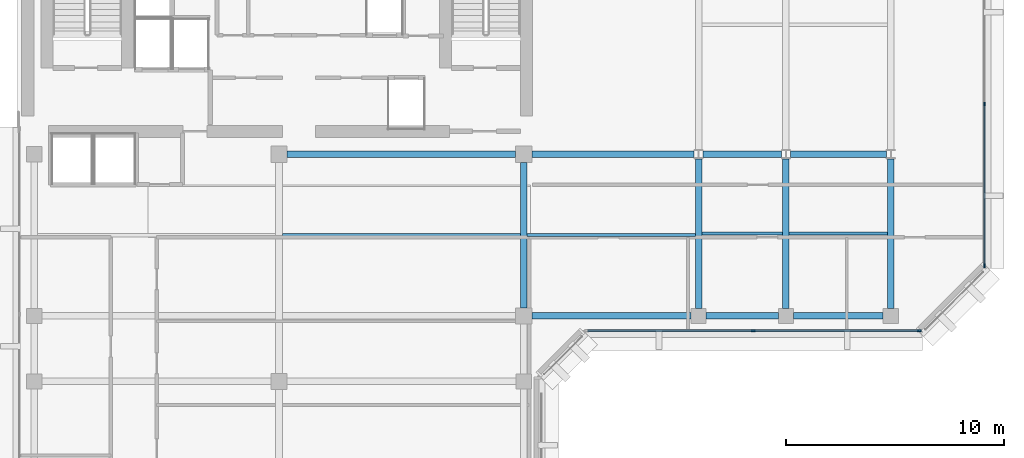
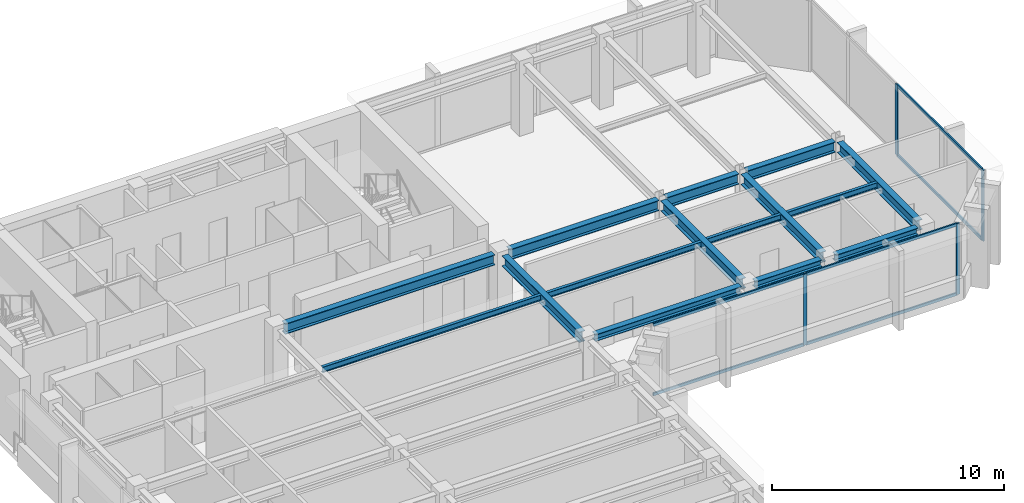
# One storey, part 3 of 11: 15 beams, 10 members, 2 elements without a shape of their own.
"""IFC4 building model written with IfcOpenShell, lengths in metres."""

from ifc_helpers import new_model, si_unit, direction, frame, origin, origin_2d, place, context, subcontext, project, spatial, rectangle, i_section, extrude, material, layer, layer_set, material_profile, profile_set, type_object, element, aggregate, save


model = new_model("IFC4")

# Units and contexts
model_context = context("Model", 3, precision=1e-05, world=origin(), true_north=direction((0.0, 1.0)))
body_context = subcontext(model_context, "Body", "Model", "MODEL_VIEW")
ifc_project = project(units=[si_unit("LENGTHUNIT", "METRE"), si_unit("AREAUNIT", "SQUARE_METRE"), si_unit("VOLUMEUNIT", "CUBIC_METRE"), si_unit("PLANEANGLEUNIT", "RADIAN"), si_unit("MASSUNIT", "GRAM", prefix="KILO")], contexts=[model_context])

# Site, building, storey
site_placement = place(None, origin())
site = spatial("IfcSite", under=ifc_project, at=site_placement, CompositionType="ELEMENT")
building_placement = place(site_placement, origin())
building = spatial("IfcBuilding", under=site, at=building_placement, Name="Kefirva Bronze Tower", CompositionType="ELEMENT")
storey_placement = place(building_placement, frame((0.0, 0.0, 335.610107421875)))
storey = spatial("IfcBuildingStorey", under=building, at=storey_placement, Name="L82", CompositionType="ELEMENT", Elevation=335.610107421875)

# Curtain wall, members
ifc_material_1 = material(Name="Bronze anodised aluminium", Category="aluminium")
ifc_layer = layer(ifc_material_1, 0.179931640625, Name="Bronze anodised aluminium")
ifc_layer_set = layer_set([ifc_layer], Name="Bronze anodised aluminium")
curtain_wall_type = type_object("IfcCurtainWallType", Name="Unitised Bronze Ribbon Curtain Wall Zone 4", PredefinedType="USERDEFINED", material=ifc_layer_set)
curtain_wall_1_placement = place(storey_placement, origin())
curtain_wall_1 = element("IfcCurtainWall", 1, at=curtain_wall_1_placement, inside=storey, type_object=curtain_wall_type, Name="L82 Curtain Wall 2", ObjectType="UNITISED CURTAIN WALL", PredefinedType="USERDEFINED")
ifc_material_profile_1 = material_profile(ifc_material_1, rectangle(XDim=0.074951171875, YDim=0.179931640625, at=origin_2d()), Name="ALU 75x180")
ifc_profile_set_1 = profile_set([ifc_material_profile_1], Name="Bronze anodised aluminium")
member_type_1 = type_object("IfcMemberType", Name="Bronze Mullion 75x180", PredefinedType="MULLION", material=ifc_profile_set_1)
member_1_placement = place(storey_placement, frame((33.699951171875, 25.1201171875, 0.0), z_axis=(0.0, 0.0, 1.0), x_axis=(0.0, 1.0, 0.0)))
member_1 = element("IfcMember", 2, at=member_1_placement, type_object=member_type_1, Name="CW-04 mullion 2", PredefinedType="MULLION", context=body_context, shape_type="SweptSolid", body=[
    extrude(rectangle(XDim=0.074951171875, YDim=0.179931640625, at=origin_2d()), origin(), (0.0, 0.0, 1.0), 3.739990234375),
])
member_2_placement = place(storey_placement, frame((41.3076171875, 25.1201171875, 0.0), z_axis=(0.0, 0.0, 1.0), x_axis=(0.0, 1.0, 0.0)))
member_2 = element("IfcMember", 3, at=member_2_placement, type_object=member_type_1, Name="CW-04 mullion 3", PredefinedType="MULLION", context=body_context, shape_type="SweptSolid", body=[
    extrude(rectangle(XDim=0.074951171875, YDim=0.179931640625, at=origin_2d()), origin(), (0.0, 0.0, 1.0), 3.739990234375),
])

curtain_wall_2_placement = place(storey_placement, origin())
curtain_wall_2 = element("IfcCurtainWall", 4, at=curtain_wall_2_placement, inside=storey, type_object=curtain_wall_type, Name="L82 Curtain Wall 3", ObjectType="UNITISED CURTAIN WALL", PredefinedType="USERDEFINED")
member_3_placement = place(storey_placement, frame((44.280029296875, 28.092529296875, 0.0), z_axis=(0.0, 0.0, 1.0), x_axis=(-1.0, 0.0, 0.0)))
member_3 = element("IfcMember", 5, at=member_3_placement, type_object=member_type_1, Name="CW-04 mullion 1", PredefinedType="MULLION", context=body_context, shape_type="SweptSolid", body=[
    extrude(rectangle(XDim=0.074951171875, YDim=0.179931640625, at=origin_2d()), origin(), (0.0, 0.0, 1.0), 3.739990234375),
])
member_4_placement = place(storey_placement, frame((44.280029296875, 35.5, 0.0), z_axis=(0.0, 0.0, 1.0), x_axis=(-1.0, 0.0, 0.0)))
member_4 = element("IfcMember", 6, at=member_4_placement, type_object=member_type_1, Name="CW-04 mullion 2", PredefinedType="MULLION", context=body_context, shape_type="SweptSolid", body=[
    extrude(rectangle(XDim=0.074951171875, YDim=0.179931640625, at=origin_2d()), origin(), (0.0, 0.0, 1.0), 3.739990234375),
])

# Member
ifc_material_profile_2 = material_profile(ifc_material_1, rectangle(XDim=0.074951171875, YDim=0.14990234375, at=origin_2d()), Name="ALU 75x150")
ifc_profile_set_2 = profile_set([ifc_material_profile_2], Name="Bronze anodised aluminium")
member_type_2 = type_object("IfcMemberType", Name="Bronze Transom 75x150", PredefinedType="USERDEFINED", material=ifc_profile_set_2)
member_5_placement = place(storey_placement, frame((26.1298828125, 25.1201171875, 0.037353515625), z_axis=(1.0, 0.0, 0.0), x_axis=(0.0, 1.0, 0.0)))
member_5 = element("IfcMember", 7, at=member_5_placement, type_object=member_type_2, Name="CW-04 transom 1.1", ObjectType="TRANSOM", PredefinedType="USERDEFINED", context=body_context, shape_type="SweptSolid", body=[
    extrude(rectangle(XDim=0.074951171875, YDim=0.14990234375, at=origin_2d()), origin(), (0.0, 0.0, 1.0), 7.53271484375),
])

member_6_placement = place(storey_placement, frame((26.1298828125, 25.1201171875, 3.702392578125), z_axis=(1.0, 0.0, 0.0), x_axis=(0.0, 1.0, 0.0)))
member_6 = element("IfcMember", 8, at=member_6_placement, type_object=member_type_2, Name="CW-04 transom 1.2", ObjectType="TRANSOM", PredefinedType="USERDEFINED", context=body_context, shape_type="SweptSolid", body=[
    extrude(rectangle(XDim=0.074951171875, YDim=0.14990234375, at=origin_2d()), origin(), (0.0, 0.0, 1.0), 7.53271484375),
])

member_7_placement = place(storey_placement, frame((33.737548828125, 25.1201171875, 0.037353515625), z_axis=(1.0, 0.0, 0.0), x_axis=(0.0, 1.0, 0.0)))
member_7 = element("IfcMember", 9, at=member_7_placement, type_object=member_type_2, Name="CW-04 transom 2.1", ObjectType="TRANSOM", PredefinedType="USERDEFINED", context=body_context, shape_type="SweptSolid", body=[
    extrude(rectangle(XDim=0.074951171875, YDim=0.14990234375, at=origin_2d()), origin(), (0.0, 0.0, 1.0), 7.532470703125),
])

member_8_placement = place(storey_placement, frame((33.737548828125, 25.1201171875, 3.702392578125), z_axis=(1.0, 0.0, 0.0), x_axis=(0.0, 1.0, 0.0)))
member_8 = element("IfcMember", 10, at=member_8_placement, type_object=member_type_2, Name="CW-04 transom 2.2", ObjectType="TRANSOM", PredefinedType="USERDEFINED", context=body_context, shape_type="SweptSolid", body=[
    extrude(rectangle(XDim=0.074951171875, YDim=0.14990234375, at=origin_2d()), origin(), (0.0, 0.0, 1.0), 7.532470703125),
])

aggregate(curtain_wall_1, [member_1, member_2, member_5, member_6, member_7, member_8])

member_9_placement = place(storey_placement, frame((44.280029296875, 28.1298828125, 0.037353515625), z_axis=(0.0, 1.0, 0.0), x_axis=(-1.0, 0.0, 0.0)))
member_9 = element("IfcMember", 11, at=member_9_placement, type_object=member_type_2, Name="CW-04 transom 1.1", ObjectType="TRANSOM", PredefinedType="USERDEFINED", context=body_context, shape_type="SweptSolid", body=[
    extrude(rectangle(XDim=0.074951171875, YDim=0.14990234375, at=origin_2d()), origin(), (0.0, 0.0, 1.0), 7.33251953125),
])

member_10_placement = place(storey_placement, frame((44.280029296875, 28.1298828125, 3.702392578125), z_axis=(0.0, 1.0, 0.0), x_axis=(-1.0, 0.0, 0.0)))
member_10 = element("IfcMember", 12, at=member_10_placement, type_object=member_type_2, Name="CW-04 transom 1.2", ObjectType="TRANSOM", PredefinedType="USERDEFINED", context=body_context, shape_type="SweptSolid", body=[
    extrude(rectangle(XDim=0.074951171875, YDim=0.14990234375, at=origin_2d()), origin(), (0.0, 0.0, 1.0), 7.33251953125),
])

aggregate(curtain_wall_2, [member_3, member_4, member_9, member_10])

# Beams
ifc_material_2 = material(Name="Steel S355", Category="steel")
ifc_material_profile_3 = material_profile(ifc_material_2, i_section(OverallWidth=0.14990234375, OverallDepth=0.300048828125, WebThickness=0.007080078125, FlangeThickness=0.0107421875, at=origin_2d()), Name="IPE 300")
ifc_profile_set_3 = profile_set([ifc_material_profile_3], Name="Steel S355")
beam_type_1 = type_object("IfcBeamType", Name="Steel Floor Joist IPE 300", PredefinedType="JOIST", material=ifc_profile_set_3)
beam_1_placement = place(storey_placement, frame((12.14990234375, 29.5, 3.58984375), z_axis=(1.0, 0.0, 0.0), x_axis=(0.0, 1.0, 0.0)))
element("IfcBeam", 13, at=beam_1_placement, inside=storey, type_object=beam_type_1, Name="L82 JST-L82-12-295", PredefinedType="JOIST", context=body_context, shape_type="SweptSolid", body=[
    extrude(i_section(OverallWidth=0.14990234375, OverallDepth=0.300048828125, WebThickness=0.007080078125, FlangeThickness=0.0107421875, at=origin_2d()), origin(), (0.0, 0.0, 1.0), 10.900146484375),
])
beam_2_placement = place(storey_placement, frame((23.35009765625, 29.5, 3.58984375), z_axis=(1.0, 0.0, 0.0), x_axis=(0.0, 1.0, 0.0)))
element("IfcBeam", 14, at=beam_2_placement, inside=storey, type_object=beam_type_1, Name="L82 JST-L82-23-295", PredefinedType="JOIST", context=body_context, shape_type="SweptSolid", body=[
    extrude(i_section(OverallWidth=0.14990234375, OverallDepth=0.300048828125, WebThickness=0.007080078125, FlangeThickness=0.0107421875, at=origin_2d()), origin(), (0.0, 0.0, 1.0), 7.699951171875),
])
beam_3_placement = place(storey_placement, frame((31.35009765625, 29.571044921875, 3.58984375), z_axis=(1.0, 0.0, 0.0), x_axis=(0.0, 1.0, 0.0)))
element("IfcBeam", 15, at=beam_3_placement, inside=storey, type_object=beam_type_1, Name="L82 JST-L82-31-295", PredefinedType="JOIST", context=body_context, shape_type="SweptSolid", body=[
    extrude(i_section(OverallWidth=0.14990234375, OverallDepth=0.300048828125, WebThickness=0.007080078125, FlangeThickness=0.0107421875, at=origin_2d()), origin(), (0.0, 0.0, 1.0), 3.699951171875),
])
beam_4_placement = place(storey_placement, frame((35.35009765625, 29.571044921875, 3.58984375), z_axis=(1.0, 0.0, 0.0), x_axis=(0.0, 1.0, 0.0)))
element("IfcBeam", 16, at=beam_4_placement, inside=storey, type_object=beam_type_1, Name="L82 JST-L82-35-295", PredefinedType="JOIST", context=body_context, shape_type="SweptSolid", body=[
    extrude(i_section(OverallWidth=0.14990234375, OverallDepth=0.300048828125, WebThickness=0.007080078125, FlangeThickness=0.0107421875, at=origin_2d()), origin(), (0.0, 0.0, 1.0), 4.5),
])
ifc_material_profile_4 = material_profile(ifc_material_2, i_section(OverallWidth=0.300048828125, OverallDepth=0.550048828125, WebThickness=0.014892578125, FlangeThickness=0.029052734375, at=origin_2d()), Name="HEB 550")
ifc_profile_set_4 = profile_set([ifc_material_profile_4], Name="Steel S355")
beam_type_2 = type_object("IfcBeamType", Name="Steel Girder HEB 550", PredefinedType="USERDEFINED", material=ifc_profile_set_4)
beam_5_placement = place(storey_placement, frame((12.3701171875, 33.199951171875, 3.46484375), z_axis=(1.0, 0.0, 0.0), x_axis=(0.0, 1.0, 0.0)))
element("IfcBeam", 17, at=beam_5_placement, inside=storey, type_object=beam_type_2, Name="L82 BM-L82-EW-12-332", ObjectType="GIRDER", PredefinedType="USERDEFINED", context=body_context, shape_type="SweptSolid", body=[
    extrude(i_section(OverallWidth=0.300048828125, OverallDepth=0.550048828125, WebThickness=0.014892578125, FlangeThickness=0.029052734375, at=origin_2d()), origin(), (0.0, 0.0, 1.0), 10.4599609375),
])
beam_6_placement = place(storey_placement, frame((23.570068359375, 33.199951171875, 3.46484375), z_axis=(1.0, 0.0, 0.0), x_axis=(0.0, 1.0, 0.0)))
element("IfcBeam", 18, at=beam_6_placement, inside=storey, type_object=beam_type_2, Name="L82 BM-L82-EW-23-332", ObjectType="GIRDER", PredefinedType="USERDEFINED", context=body_context, shape_type="SweptSolid", body=[
    extrude(i_section(OverallWidth=0.300048828125, OverallDepth=0.550048828125, WebThickness=0.014892578125, FlangeThickness=0.029052734375, at=origin_2d()), origin(), (0.0, 0.0, 1.0), 7.427001953125),
])
beam_7_placement = place(storey_placement, frame((31.403076171875, 33.199951171875, 3.46484375), z_axis=(1.0, 0.0, 0.0), x_axis=(0.0, 1.0, 0.0)))
element("IfcBeam", 19, at=beam_7_placement, inside=storey, type_object=beam_type_2, Name="L82 BM-L82-EW-31-332", ObjectType="GIRDER", PredefinedType="USERDEFINED", context=body_context, shape_type="SweptSolid", body=[
    extrude(i_section(OverallWidth=0.300048828125, OverallDepth=0.550048828125, WebThickness=0.014892578125, FlangeThickness=0.029052734375, at=origin_2d()), origin(), (0.0, 0.0, 1.0), 3.593994140625),
])
beam_8_placement = place(storey_placement, frame((35.403076171875, 33.199951171875, 3.46484375), z_axis=(1.0, 0.0, 0.0), x_axis=(0.0, 1.0, 0.0)))
element("IfcBeam", 20, at=beam_8_placement, inside=storey, type_object=beam_type_2, Name="L82 BM-L82-EW-35-332", ObjectType="GIRDER", PredefinedType="USERDEFINED", context=body_context, shape_type="SweptSolid", body=[
    extrude(i_section(OverallWidth=0.300048828125, OverallDepth=0.550048828125, WebThickness=0.014892578125, FlangeThickness=0.029052734375, at=origin_2d()), origin(), (0.0, 0.0, 1.0), 4.39404296875),
])
beam_9_placement = place(storey_placement, frame((23.199951171875, 26.169921875, 3.46484375), z_axis=(0.0, 1.0, 0.0), x_axis=(-1.0, 0.0, 0.0)))
element("IfcBeam", 21, at=beam_9_placement, inside=storey, type_object=beam_type_2, Name="L82 BM-L82-NS-232-25", ObjectType="GIRDER", PredefinedType="USERDEFINED", context=body_context, shape_type="SweptSolid", body=[
    extrude(i_section(OverallWidth=0.300048828125, OverallDepth=0.550048828125, WebThickness=0.014892578125, FlangeThickness=0.029052734375, at=origin_2d()), origin(), (0.0, 0.0, 1.0), 6.66015625),
])
for number, where, z_axis, x_axis, name in (
    (22, (31.199951171875, 26.14990234375, 3.46484375), (0.0, 1.0, 0.0), (-1.0, 0.0, 0.0), "L82 BM-L82-NS-312-25"),
    (23, (35.199951171875, 26.14990234375, 3.46484375), (0.0, 1.0, 0.0), (-1.0, 0.0, 0.0), "L82 BM-L82-NS-352-25"),
    (24, (40.0, 26.14990234375, 3.46484375), (0.0, 1.0, 0.0), (-1.0, 0.0, 0.0), "L82 BM-L82-NS-400-25"),
):
    element("IfcBeam", number, at=place(storey_placement, frame(where, z_axis=z_axis, x_axis=x_axis)), inside=storey, type_object=beam_type_2, Name=name, ObjectType="GIRDER", PredefinedType="USERDEFINED", context=body_context, shape_type="SweptSolid", body=[
        extrude(i_section(OverallWidth=0.300048828125, OverallDepth=0.550048828125, WebThickness=0.014892578125, FlangeThickness=0.029052734375, at=origin_2d()), origin(), (0.0, 0.0, 1.0), 6.842041015625),
    ])
ifc_material_profile_5 = material_profile(ifc_material_2, i_section(OverallWidth=0.300048828125, OverallDepth=0.360107421875, WebThickness=0.012451171875, FlangeThickness=0.0224609375, at=origin_2d()), Name="HEB 360")
ifc_profile_set_5 = profile_set([ifc_material_profile_5], Name="Steel S355")
beam_type_3 = type_object("IfcBeamType", Name="Steel Spandrel HEB 360 Ext", PredefinedType="SPANDREL", material=ifc_profile_set_5)
beam_10_placement = place(storey_placement, frame((23.570068359375, 25.800048828125, 3.559814453125), z_axis=(1.0, 0.0, 0.0), x_axis=(0.0, 1.0, 0.0)))
element("IfcBeam", 25, at=beam_10_placement, inside=storey, type_object=beam_type_3, Name="L82 BM-L82-EW-23-258", PredefinedType="SPANDREL", context=body_context, shape_type="SweptSolid", body=[
    extrude(i_section(OverallWidth=0.300048828125, OverallDepth=0.360107421875, WebThickness=0.012451171875, FlangeThickness=0.0224609375, at=origin_2d()), origin(), (0.0, 0.0, 1.0), 7.280029296875),
])
beam_11_placement = place(storey_placement, frame((31.550048828125, 25.800048828125, 3.559814453125), z_axis=(1.0, 0.0, 0.0), x_axis=(0.0, 1.0, 0.0)))
element("IfcBeam", 26, at=beam_11_placement, inside=storey, type_object=beam_type_3, Name="L82 BM-L82-EW-31-258", PredefinedType="SPANDREL", context=body_context, shape_type="SweptSolid", body=[
    extrude(i_section(OverallWidth=0.300048828125, OverallDepth=0.360107421875, WebThickness=0.012451171875, FlangeThickness=0.0224609375, at=origin_2d()), origin(), (0.0, 0.0, 1.0), 3.300048828125),
])
beam_12_placement = place(storey_placement, frame((35.550048828125, 25.800048828125, 3.559814453125), z_axis=(1.0, 0.0, 0.0), x_axis=(0.0, 1.0, 0.0)))
element("IfcBeam", 27, at=beam_12_placement, inside=storey, type_object=beam_type_3, Name="L82 BM-L82-EW-35-258", PredefinedType="SPANDREL", context=body_context, shape_type="SweptSolid", body=[
    extrude(i_section(OverallWidth=0.300048828125, OverallDepth=0.360107421875, WebThickness=0.012451171875, FlangeThickness=0.0224609375, at=origin_2d()), origin(), (0.0, 0.0, 1.0), 4.099853515625),
])

save(model, "model.ifc")
